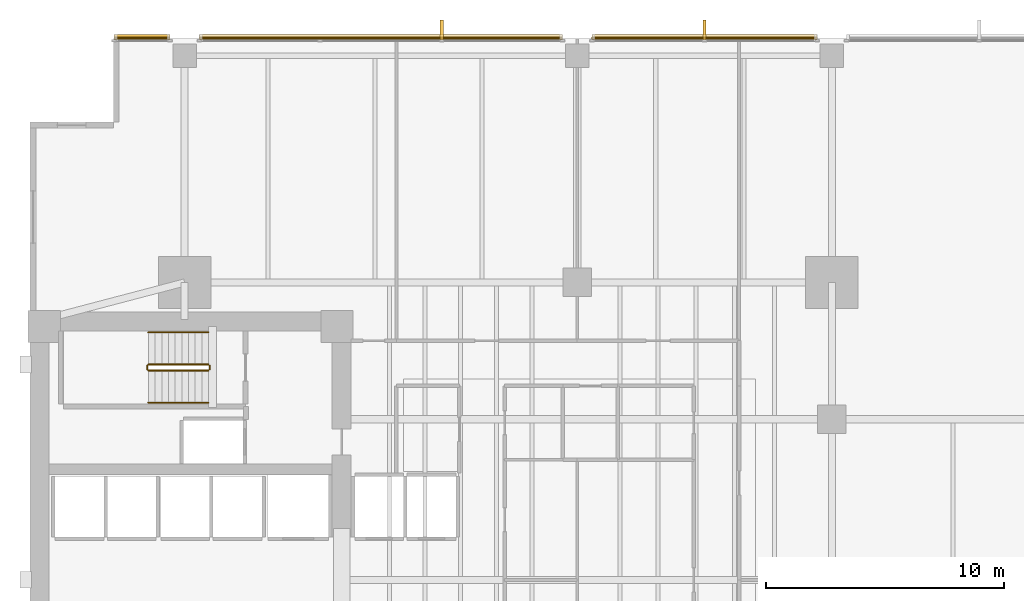
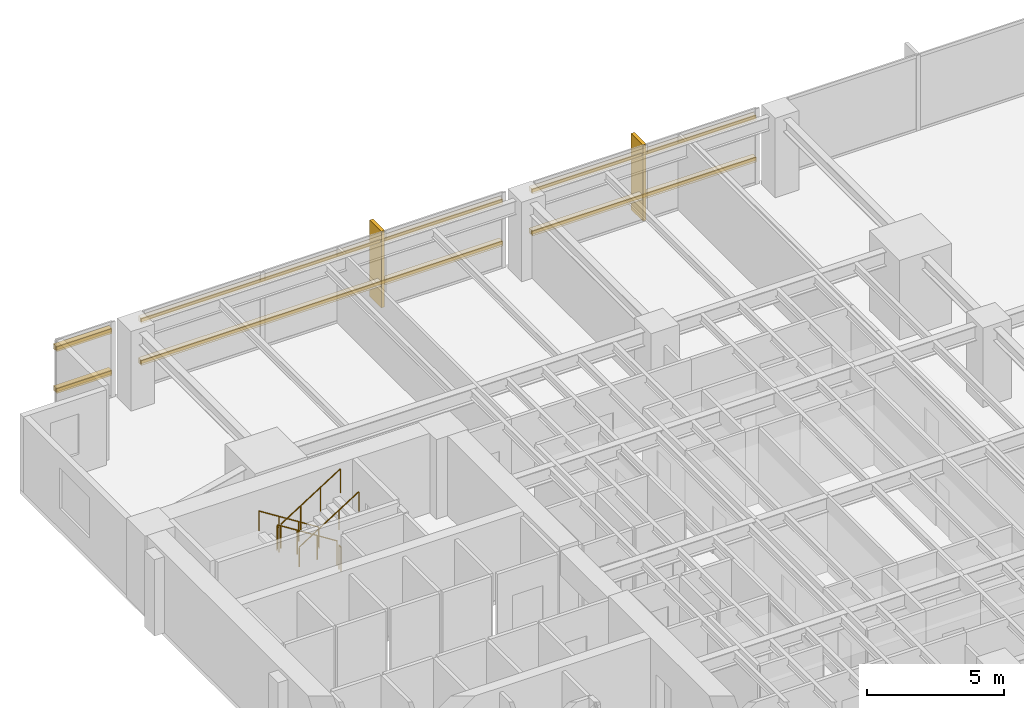
# One storey, part 14 of 15: 8 coverings, 6 railings, 6 shading devices.
"""IFC4 building model written with IfcOpenShell, lengths in metres."""

from ifc_helpers import new_model, si_unit, direction, frame, origin, origin_2d, place, context, subcontext, project, spatial, polyline, rectangle, circle, outline, extrude, material, layer, layer_set, material_profile, profile_set, type_object, element, save


model = new_model("IFC4")

# Units and contexts
model_context = context("Model", 3, precision=1e-05, world=origin(), true_north=direction((0.0, 1.0)))
body_context = subcontext(model_context, "Body", "Model", "MODEL_VIEW")
ifc_project = project(units=[si_unit("LENGTHUNIT", "METRE"), si_unit("AREAUNIT", "SQUARE_METRE"), si_unit("VOLUMEUNIT", "CUBIC_METRE"), si_unit("PLANEANGLEUNIT", "RADIAN"), si_unit("MASSUNIT", "GRAM", prefix="KILO")], contexts=[model_context])

# Site, building, storey
site_placement = place(None, origin())
site = spatial("IfcSite", under=ifc_project, at=site_placement, CompositionType="ELEMENT")
building_placement = place(site_placement, origin())
building = spatial("IfcBuilding", under=site, at=building_placement, Name="Kinhvarn Gate Tower", CompositionType="ELEMENT")
storey_placement = place(building_placement, frame((0.0, 0.0, 39.800048828125)))
storey = spatial("IfcBuildingStorey", under=building, at=storey_placement, Name="L09", CompositionType="ELEMENT", Elevation=39.800048828125)

# Coverings
ifc_material_1 = material(Name="Fired architectural terracotta", Category="masonry")
ifc_layer_1 = layer(ifc_material_1, 0.239990234375)
ifc_layer_set_1 = layer_set([ifc_layer_1], Name="Fired architectural terracotta")
covering_type_1 = type_object("IfcCoveringType", Name="COV-BAG-220", PredefinedType="CLADDING", material=ifc_layer_set_1)
for number, where, name in (
    (1, (0.0, 0.0, 0.93994140625), "Terracotta Horizontal Sunscreen Band TBG-220 (L09)"),
    (2, (0.0, 0.0, 2.81005859375), "Terracotta Horizontal Sunscreen Band TBG-220 (L09)"),
):
    element("IfcCovering", number, at=place(storey_placement, frame(where)), inside=storey, type_object=covering_type_1, Name=name, PredefinedType="CLADDING", context=body_context, shape_type="SweptSolid", body=[
        extrude(outline(polyline([(37.580078125, 47.93994140625), (28.1201171875, 47.93994140625), (28.1201171875, 48.179931640625), (37.580078125, 48.179931640625), (37.580078125, 47.93994140625)])), origin(), (0.0, 0.0, 1.0), 0.219970703125),
    ])
for number, where, name in (
    (3, (0.0, 0.0, 0.93994140625), "Terracotta Horizontal Sunscreen Band TBG-220 (L09)"),
    (4, (0.0, 0.0, 2.81005859375), "Terracotta Horizontal Sunscreen Band TBG-220 (L09)"),
):
    element("IfcCovering", number, at=place(storey_placement, frame(where)), inside=storey, type_object=covering_type_1, Name=name, PredefinedType="CLADDING", context=body_context, shape_type="SweptSolid", body=[
        extrude(outline(polyline([(26.8798828125, 47.93994140625), (11.6201171875, 47.93994140625), (11.6201171875, 48.179931640625), (26.8798828125, 48.179931640625), (26.8798828125, 47.93994140625)])), origin(), (0.0, 0.0, 1.0), 0.219970703125),
    ])
for number, where, name in (
    (5, (0.0, 0.0, 0.93994140625), "Terracotta Horizontal Sunscreen Band TBG-220 (L09)"),
    (6, (0.0, 0.0, 2.81005859375), "Terracotta Horizontal Sunscreen Band TBG-220 (L09)"),
):
    element("IfcCovering", number, at=place(storey_placement, frame(where)), inside=storey, type_object=covering_type_1, Name=name, PredefinedType="CLADDING", context=body_context, shape_type="SweptSolid", body=[
        extrude(outline(polyline([(10.3798828125, 47.93994140625), (8.0400390625, 47.93994140625), (8.0400390625, 48.179931640625), (10.3798828125, 48.179931640625), (10.3798828125, 47.93994140625)])), origin(), (0.0, 0.0, 1.0), 0.219970703125),
    ])
ifc_layer_2 = layer(ifc_material_1, 0.139892578125)
ifc_layer_set_2 = layer_set([ifc_layer_2], Name="Fired architectural terracotta")
covering_type_2 = type_object("IfcCoveringType", Name="COV-FIN-850", PredefinedType="CLADDING", material=ifc_layer_set_2)
covering_1_placement = place(storey_placement, frame((0.0, 0.0, -0.02001953125)))
element("IfcCovering", 7, at=covering_1_placement, inside=storey, type_object=covering_type_2, Name="Vertical Terracotta Expressive Fin TFN-850 (L09)", PredefinedType="CLADDING", context=body_context, shape_type="SweptSolid", body=[
    extrude(outline(polyline([(32.919921875, 47.929931640625), (32.780029296875, 47.929931640625), (32.780029296875, 48.780029296875), (32.919921875, 48.780029296875), (32.919921875, 47.929931640625)])), origin(), (0.0, 0.0, 1.0), 3.409912109375),
])
covering_2_placement = place(storey_placement, frame((0.0, 0.0, -0.02001953125)))
element("IfcCovering", 8, at=covering_2_placement, inside=storey, type_object=covering_type_2, Name="Vertical Terracotta Expressive Fin TFN-850 (L09)", PredefinedType="CLADDING", context=body_context, shape_type="SweptSolid", body=[
    extrude(outline(polyline([(21.876708984375, 47.929931640625), (21.73681640625, 47.929931640625), (21.73681640625, 48.780029296875), (21.876708984375, 48.780029296875), (21.876708984375, 47.929931640625)])), origin(), (0.0, 0.0, 1.0), 3.409912109375),
])

# Railings
ifc_material_2 = material(Name="Steel S355", Category="steel")
railing_type_1 = type_object("IfcRailingType", Name="RL-ST-GRD", PredefinedType="BALUSTRADE", material=ifc_material_2)
railing_1_placement = place(storey_placement, frame((12.0, 34.300048828125, 0.177490234375)))
element("IfcRailing", 9, at=railing_1_placement, inside=storey, type_object=railing_type_1, Name="L09 ST2 stair guard 1", PredefinedType="BALUSTRADE", context=body_context, shape_type="SweptSolid", body=[
    extrude(circle(Radius=0.02392578125, at=origin_2d()), frame((0.0, 0.0, 1.076171875), z_axis=(-0.84460694969, 0.0, 0.535386869969), x_axis=(0.0, -1.0, 0.0)), (0.0, 0.0, 1.0), 2.983642578125),
    extrude(circle(Radius=0.02099609375, at=origin_2d()), origin(), (0.0, 0.0, 1.0), 1.052001953125),
    extrude(circle(Radius=0.02099609375, at=origin_2d()), frame((-0.840087890625, 0.0, 0.532470703125)), (0.0, 0.0, 1.0), 1.052001953125),
    extrude(circle(Radius=0.02099609375, at=origin_2d()), frame((-1.679931640625, 0.0, 1.06494140625)), (0.0, 0.0, 1.0), 1.052001953125),
    extrude(circle(Radius=0.02099609375, at=origin_2d()), frame((-2.52001953125, 0.0, 1.597412109375)), (0.0, 0.0, 1.0), 1.052001953125),
])
railing_2_placement = place(storey_placement, frame((9.429931640625, 34.25, 1.77490234375)))
element("IfcRailing", 10, at=railing_2_placement, inside=storey, type_object=railing_type_1, Name="L09 ST2 stair guard 2", PredefinedType="BALUSTRADE", context=body_context, shape_type="SweptSolid", body=[
    extrude(circle(Radius=0.02392578125, at=origin_2d()), frame((0.0, 0.0, 1.076171875), z_axis=(0.0, -1.0, 0.0), x_axis=(1.0, 0.0, 0.0)), (0.0, 0.0, 1.0), 0.14990234375),
    extrude(circle(Radius=0.02099609375, at=origin_2d()), origin(), (0.0, 0.0, 1.0), 1.052001953125),
    extrude(circle(Radius=0.02099609375, at=origin_2d()), frame((0.0, -0.14990234375, 0.0)), (0.0, 0.0, 1.0), 1.052001953125),
])
railing_3_placement = place(storey_placement, frame((9.47998046875, 34.050048828125, 1.952392578125)))
element("IfcRailing", 11, at=railing_3_placement, inside=storey, type_object=railing_type_1, Name="L09 ST2 stair guard 3", PredefinedType="BALUSTRADE", context=body_context, shape_type="SweptSolid", body=[
    extrude(circle(Radius=0.02392578125, at=origin_2d()), frame((0.0, 0.0, 1.076171875), z_axis=(0.84456994832, 0.0, 0.535445237532), x_axis=(0.0, 1.0, 0.0)), (0.0, 0.0, 1.0), 2.98388671875),
    extrude(circle(Radius=0.02099609375, at=origin_2d()), origin(), (0.0, 0.0, 1.0), 1.052001953125),
    extrude(circle(Radius=0.02099609375, at=origin_2d()), frame((0.840087890625, 0.0, 0.532470703125)), (0.0, 0.0, 1.0), 1.052001953125),
    extrude(circle(Radius=0.02099609375, at=origin_2d()), frame((1.679931640625, 0.0, 1.065185546875)), (0.0, 0.0, 1.0), 1.052001953125),
    extrude(circle(Radius=0.02099609375, at=origin_2d()), frame((2.52001953125, 0.0, 1.59765625)), (0.0, 0.0, 1.0), 1.052001953125),
])
railing_4_placement = place(storey_placement, frame((12.050048828125, 34.25, 0.0)))
element("IfcRailing", 12, at=railing_4_placement, inside=storey, type_object=railing_type_1, Name="L09 ST2 stair guard 4", PredefinedType="BALUSTRADE", context=body_context, shape_type="SweptSolid", body=[
    extrude(circle(Radius=0.02392578125, at=origin_2d()), frame((0.0, 0.0, 1.076171875), z_axis=(0.0, -1.0, 0.0), x_axis=(1.0, 0.0, 0.0)), (0.0, 0.0, 1.0), 0.14990234375),
    extrude(circle(Radius=0.02099609375, at=origin_2d()), origin(), (0.0, 0.0, 1.0), 1.052001953125),
    extrude(circle(Radius=0.02099609375, at=origin_2d()), frame((0.0, -0.14990234375, 0.0)), (0.0, 0.0, 1.0), 1.052001953125),
])
railing_type_2 = type_object("IfcRailingType", Name="RL-ST-HND", PredefinedType="HANDRAIL", material=ifc_material_2)
railing_5_placement = place(storey_placement, frame((12.0, 35.64990234375, 0.177490234375)))
element("IfcRailing", 13, at=railing_5_placement, inside=storey, type_object=railing_type_2, Name="L09 ST2 stair handrail 1", PredefinedType="HANDRAIL", context=body_context, shape_type="SweptSolid", body=[
    extrude(circle(Radius=0.02392578125, at=origin_2d()), frame((0.0, 0.0, 0.8759765625), z_axis=(-0.84460694969, 0.0, 0.535386869969), x_axis=(0.0, -1.0, 0.0)), (0.0, 0.0, 1.0), 2.983642578125),
    extrude(circle(Radius=0.02099609375, at=origin_2d()), origin(), (0.0, 0.0, 1.0), 0.851806640625),
    extrude(circle(Radius=0.02099609375, at=origin_2d()), frame((-0.840087890625, 0.0, 0.532470703125)), (0.0, 0.0, 1.0), 0.851806640625),
    extrude(circle(Radius=0.02099609375, at=origin_2d()), frame((-1.679931640625, 0.0, 1.06494140625)), (0.0, 0.0, 1.0), 0.851806640625),
    extrude(circle(Radius=0.02099609375, at=origin_2d()), frame((-2.52001953125, 0.0, 1.597412109375)), (0.0, 0.0, 1.0), 0.851806640625),
])
railing_6_placement = place(storey_placement, frame((9.47998046875, 32.699951171875, 1.952392578125)))
element("IfcRailing", 14, at=railing_6_placement, inside=storey, type_object=railing_type_2, Name="L09 ST2 stair handrail 2", PredefinedType="HANDRAIL", context=body_context, shape_type="SweptSolid", body=[
    extrude(circle(Radius=0.02392578125, at=origin_2d()), frame((0.0, 0.0, 0.8759765625), z_axis=(0.84456994832, 0.0, 0.535445237532), x_axis=(0.0, 1.0, 0.0)), (0.0, 0.0, 1.0), 2.98388671875),
    extrude(circle(Radius=0.02099609375, at=origin_2d()), origin(), (0.0, 0.0, 1.0), 0.851806640625),
    extrude(circle(Radius=0.02099609375, at=origin_2d()), frame((0.840087890625, 0.0, 0.532470703125)), (0.0, 0.0, 1.0), 0.851806640625),
    extrude(circle(Radius=0.02099609375, at=origin_2d()), frame((1.679931640625, 0.0, 1.065185546875)), (0.0, 0.0, 1.0), 0.851806640625),
    extrude(circle(Radius=0.02099609375, at=origin_2d()), frame((2.52001953125, 0.0, 1.59765625)), (0.0, 0.0, 1.0), 0.851806640625),
])

# Shading devices
ifc_material_profile = material_profile(ifc_material_1, rectangle(XDim=0.06005859375, YDim=0.139892578125, at=origin_2d()), Name="TC 60x140")
ifc_profile_set = profile_set([ifc_material_profile], Name="Fired architectural terracotta")
shading_device_type = type_object("IfcShadingDeviceType", Name="SHD-BAG-180", PredefinedType="USERDEFINED", material=ifc_profile_set)
for number, where, z_axis, x_axis, name in (
    (15, (37.580078125, 48.014892578125, 1.050048828125), (-1.0, 0.0, 0.0), (0.0, -1.0, 0.0), "Fired Terracotta Baguette Screen Rod 60x140 mm (L09)"),
    (16, (37.580078125, 48.014892578125, 2.919921875), (-1.0, 0.0, 0.0), (0.0, -1.0, 0.0), "Fired Terracotta Baguette Screen Rod 60x140 mm (L09)"),
):
    element("IfcShadingDevice", number, at=place(storey_placement, frame(where, z_axis=z_axis, x_axis=x_axis)), inside=storey, type_object=shading_device_type, Name=name, ObjectType="BAGUETTE", PredefinedType="USERDEFINED", context=body_context, shape_type="SweptSolid", body=[
        extrude(rectangle(XDim=0.06005859375, YDim=0.139892578125, at=origin_2d()), origin(), (0.0, 0.0, 1.0), 9.4599609375),
    ])
for number, where, z_axis, x_axis, name in (
    (17, (26.8798828125, 48.014892578125, 1.050048828125), (-1.0, 0.0, 0.0), (0.0, -1.0, 0.0), "Fired Terracotta Baguette Screen Rod 60x140 mm (L09)"),
    (18, (26.8798828125, 48.014892578125, 2.919921875), (-1.0, 0.0, 0.0), (0.0, -1.0, 0.0), "Fired Terracotta Baguette Screen Rod 60x140 mm (L09)"),
):
    element("IfcShadingDevice", number, at=place(storey_placement, frame(where, z_axis=z_axis, x_axis=x_axis)), inside=storey, type_object=shading_device_type, Name=name, ObjectType="BAGUETTE", PredefinedType="USERDEFINED", context=body_context, shape_type="SweptSolid", body=[
        extrude(rectangle(XDim=0.06005859375, YDim=0.139892578125, at=origin_2d()), origin(), (0.0, 0.0, 1.0), 15.259765625),
    ])
for number, where, z_axis, x_axis, name in (
    (19, (10.3798828125, 48.014892578125, 1.050048828125), (-1.0, 0.0, 0.0), (0.0, -1.0, 0.0), "Fired Terracotta Baguette Screen Rod 60x140 mm (L09)"),
    (20, (10.3798828125, 48.014892578125, 2.919921875), (-1.0, 0.0, 0.0), (0.0, -1.0, 0.0), "Fired Terracotta Baguette Screen Rod 60x140 mm (L09)"),
):
    element("IfcShadingDevice", number, at=place(storey_placement, frame(where, z_axis=z_axis, x_axis=x_axis)), inside=storey, type_object=shading_device_type, Name=name, ObjectType="BAGUETTE", PredefinedType="USERDEFINED", context=body_context, shape_type="SweptSolid", body=[
        extrude(rectangle(XDim=0.06005859375, YDim=0.139892578125, at=origin_2d()), origin(), (0.0, 0.0, 1.0), 2.33984375),
    ])

save(model, "model.ifc")
